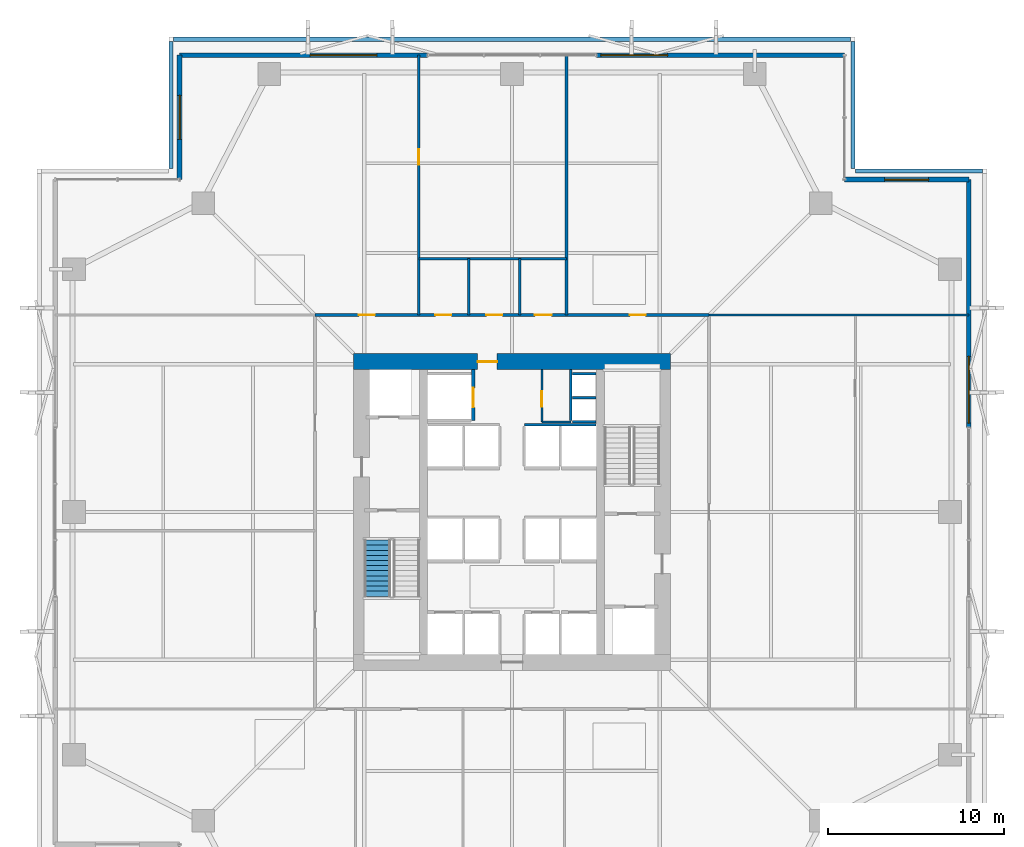
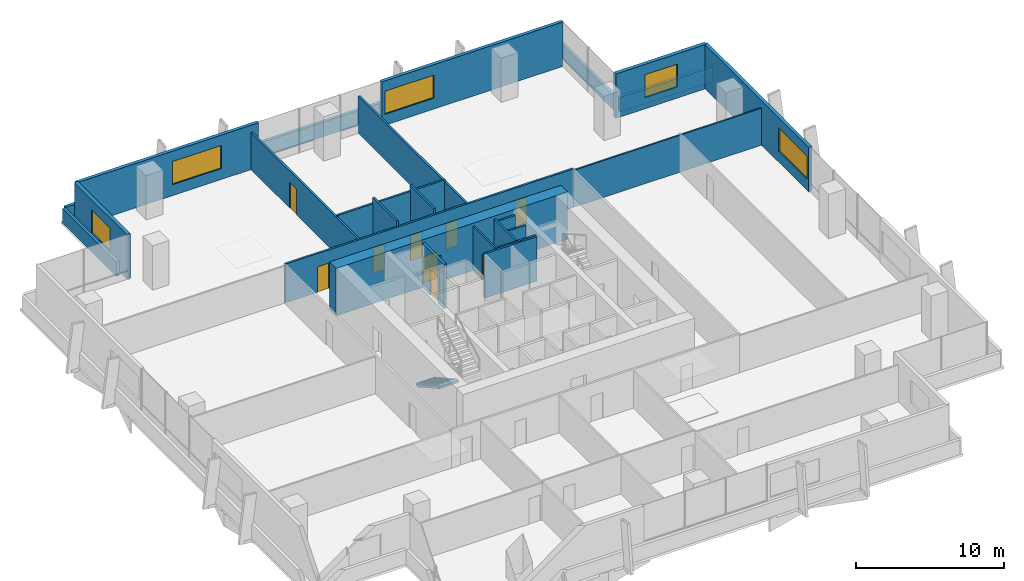
# One storey, part 32 of 34: 25 walls, 9 doors, 5 windows, 1 stair flight, 14 openings, 1 element without a shape of its own.
"""IFC4 building model written with IfcOpenShell, lengths in metres."""

from ifc_helpers import new_model, si_unit, direction, frame, frame_2d, origin, place, context, subcontext, project, spatial, polyline, rectangle, outline, extrude, material, layer, layer_set, type_object, element, fill, aggregate, save


model = new_model("IFC4")

# Units and contexts
model_context = context("Model", 3, precision=1e-05, world=origin(), true_north=direction((0.0, 1.0)))
body_context = subcontext(model_context, "Body", "Model", "MODEL_VIEW")
ifc_project = project(units=[si_unit("LENGTHUNIT", "METRE"), si_unit("AREAUNIT", "SQUARE_METRE"), si_unit("VOLUMEUNIT", "CUBIC_METRE"), si_unit("PLANEANGLEUNIT", "RADIAN"), si_unit("MASSUNIT", "GRAM", prefix="KILO")], contexts=[model_context])

# Site, building, storey
site_placement = place(None, origin())
site = spatial("IfcSite", under=ifc_project, at=site_placement, CompositionType="ELEMENT")
building_placement = place(site_placement, origin())
building = spatial("IfcBuilding", under=site, at=building_placement, Name="Belovzor Exchange Tower", CompositionType="ELEMENT")
storey_placement = place(building_placement, frame((0.0, 0.0, 113.39990234375)))
storey = spatial("IfcBuildingStorey", under=building, at=storey_placement, Name="L27", CompositionType="ELEMENT", Elevation=113.39990234375)

# Wall
ifc_material_1 = material(Name="Acoustic Plasterboard on Galvanised Studs", Category="gypsum")
ifc_layer_1 = layer(ifc_material_1, 0.1201171875)
ifc_layer_set_1 = layer_set([ifc_layer_1], Name="Acoustic Plasterboard on Galvanised Studs")
wall_type_1 = type_object("IfcWallType", Name="Acoustic Double-Stud Partition Wall 120", PredefinedType="PARTITIONING", material=ifc_layer_set_1)
wall_1_placement = place(storey_placement, frame((40.0, 40.0, 0.0), z_axis=(0.0, 0.0, 1.0), x_axis=(1.0, 0.0, 0.0)))
element("IfcWall", 1, at=wall_1_placement, inside=storey, type_object=wall_type_1, Name="W-P120 Partition Wall W-L27-END-NE", PredefinedType="PARTITIONING", context=body_context, shape_type="SweptSolid", body=[
    extrude(rectangle(XDim=14.77001953125, YDim=0.1201171875, at=frame_2d((7.385009765625, 0.0))), origin(), (0.0, 0.0, 1.0), 3.03515625),
])

# Wall, opening, door
ifc_material_2 = material(Name="Fire-Rated Plasterboard on Galvanised Studs", Category="gypsum")
ifc_layer_2 = layer(ifc_material_2, 0.1201171875)
ifc_layer_set_2 = layer_set([ifc_layer_2], Name="Fire-Rated Plasterboard on Galvanised Studs")
wall_type_2 = type_object("IfcWallType", Name="Fire-Rated Double-Stud Partition Wall 120", PredefinedType="PARTITIONING", material=ifc_layer_set_2)
wall_2_placement = place(storey_placement, frame((30.5, 33.925048828125, 0.0), z_axis=(0.0, 0.0, 1.0), x_axis=(0.0, 1.0, 0.0)))
wall_2 = element("IfcWall", 2, at=wall_2_placement, inside=storey, type_object=wall_type_2, Name="W-P120F Partition Wall W-CRV-L27-W", PredefinedType="PARTITIONING", context=body_context, shape_type="SweptSolid", body=[
    extrude(rectangle(XDim=2.974853515625, YDim=0.1201171875, at=frame_2d((1.4873046875, 0.0))), origin(), (0.0, 0.0, 1.0), 3.650146484375),
])
opening_1_placement = place(wall_2_placement, frame((0.85009765625, 0.0, 0.0)))
opening_1 = element("IfcOpeningElement", 3, at=opening_1_placement, cuts=wall_2, Name="Opening D-FD60-090", PredefinedType="OPENING", context=body_context, shape_type="SweptSolid", body=[
    extrude(rectangle(XDim=0.89990234375, YDim=2.10009765625, at=frame_2d((0.449951171875, 1.050048828125))), frame((0.0, 0.070068359375, 0.0), z_axis=(0.0, -1.0, 0.0), x_axis=(1.0, 0.0, 0.0)), (0.0, 0.0, 1.0), 0.14013671875),
])
ifc_material_3 = material(Name="Acoustic Timber Fire Leaf", Category="wood")
door_type_1 = type_object("IfcDoorType", Name="Core Service & Restroom Fire Door 900x2100", OperationType="NOTDEFINED", PredefinedType="DOOR", material=ifc_material_3)
door_1_placement = place(opening_1_placement, origin())
door_1 = element("IfcDoor", 4, at=door_1_placement, inside=storey, type_object=door_type_1, Name="D-FD60-090 Core Service & Restroom Fire Door 900x2100", OperationType="SINGLE_SWING_LEFT", OverallHeight=2.10009765625, OverallWidth=0.89990234375, PredefinedType="DOOR", context=body_context, shape_type="SweptSolid", body=[
    extrude(rectangle(XDim=0.89990234375, YDim=2.10009765625, at=frame_2d((0.449951171875, 1.050048828125))), frame((0.0, 0.02490234375, 0.0), z_axis=(0.0, -1.0, 0.0), x_axis=(1.0, 0.0, 0.0)), (0.0, 0.0, 1.0), 0.050048828125),
])
fill(opening_1, door_1)

# Walls
wall_3_placement = place(storey_placement, frame((30.5, 33.925048828125, 0.0), z_axis=(0.0, 0.0, 1.0), x_axis=(1.0, 0.0, 0.0)))
element("IfcWall", 5, at=wall_3_placement, inside=storey, type_object=wall_type_2, Name="W-P120F Partition Wall W-CRV-L27-S", PredefinedType="PARTITIONING", context=body_context, shape_type="SweptSolid", body=[
    extrude(rectangle(XDim=1.64990234375, YDim=0.1201171875, at=frame_2d((0.824951171875, 0.0))), origin(), (0.0, 0.0, 1.0), 3.650146484375),
])
ifc_material_4 = material(Name="Fire-Rated Gypsum Block and Mineral Wool", Category="gypsum")
ifc_layer_3 = layer(ifc_material_4, 0.14990234375)
ifc_layer_set_3 = layer_set([ifc_layer_3], Name="Fire-Rated Gypsum Block and Mineral Wool")
wall_type_3 = type_object("IfcWallType", Name="Fire-Rated Gypsum Block Corridor Wall 150", PredefinedType="PARTITIONING", material=ifc_layer_set_3)
wall_4_placement = place(storey_placement, frame((23.5, 43.199951171875, 0.0), z_axis=(0.0, 0.0, 1.0), x_axis=(1.0, 0.0, 0.0)))
element("IfcWall", 6, at=wall_4_placement, inside=storey, type_object=wall_type_3, Name="W-P150 Partition Wall W-L27-WCN", PredefinedType="PARTITIONING", context=body_context, shape_type="SweptSolid", body=[
    extrude(rectangle(XDim=8.39990234375, YDim=0.14990234375, at=frame_2d((4.199951171875, 0.0))), origin(), (0.0, 0.0, 1.0), 3.18505859375),
])

# Wall, opening, door
wall_5_placement = place(storey_placement, frame((23.5, 40.0, 0.0), z_axis=(0.0, 0.0, 1.0), x_axis=(0.0, 1.0, 0.0)))
wall_5 = element("IfcWall", 7, at=wall_5_placement, inside=storey, type_object=wall_type_3, Name="W-P150 Partition Wall W-L27-WCW", PredefinedType="PARTITIONING", context=body_context, shape_type="SweptSolid", body=[
    extrude(rectangle(XDim=14.77001953125, YDim=0.14990234375, at=frame_2d((7.385009765625, 0.0))), origin(), (0.0, 0.0, 1.0), 3.03515625),
])
opening_2_placement = place(wall_5_placement, frame((8.534912109375, 0.0, 0.0)))
opening_2 = element("IfcOpeningElement", 8, at=opening_2_placement, cuts=wall_5, Name="Opening D-INT-090", PredefinedType="OPENING", context=body_context, shape_type="SweptSolid", body=[
    extrude(rectangle(XDim=0.89990234375, YDim=2.10009765625, at=frame_2d((0.449951171875, 1.050048828125))), frame((0.0, 0.0849609375, 0.0), z_axis=(0.0, -1.0, 0.0), x_axis=(1.0, 0.0, 0.0)), (0.0, 0.0, 1.0), 0.169921875),
])
ifc_material_5 = material(Name="Veneered Hardwood Acoustic Leaf", Category="wood")
door_type_2 = type_object("IfcDoorType", Name="Trading Suite Acoustic Single Door 900x2100", OperationType="NOTDEFINED", PredefinedType="DOOR", material=ifc_material_5)
door_2_placement = place(opening_2_placement, origin())
door_2 = element("IfcDoor", 9, at=door_2_placement, inside=storey, type_object=door_type_2, Name="D-INT-090 Trading Suite Acoustic Single Door 900x2100", OperationType="SINGLE_SWING_LEFT", OverallHeight=2.10009765625, OverallWidth=0.89990234375, PredefinedType="DOOR", context=body_context, shape_type="SweptSolid", body=[
    extrude(rectangle(XDim=0.89990234375, YDim=2.10009765625, at=frame_2d((0.449951171875, 1.050048828125))), frame((0.0, 0.02490234375, 0.0), z_axis=(0.0, -1.0, 0.0), x_axis=(1.0, 0.0, 0.0)), (0.0, 0.0, 1.0), 0.050048828125),
])
fill(opening_2, door_2)

# Walls
wall_6_placement = place(storey_placement, frame((31.89990234375, 40.0, 0.0), z_axis=(0.0, 0.0, 1.0), x_axis=(0.0, 1.0, 0.0)))
element("IfcWall", 10, at=wall_6_placement, inside=storey, type_object=wall_type_3, Name="W-P150 Partition Wall W-L27-WCE", PredefinedType="PARTITIONING", context=body_context, shape_type="SweptSolid", body=[
    extrude(rectangle(XDim=14.77001953125, YDim=0.14990234375, at=frame_2d((7.385009765625, 0.0))), origin(), (0.0, 0.0, 1.0), 3.03515625),
])
for number, where, z_axis, x_axis, name in (
    (11, (26.35009765625, 40.0, 0.0), (0.0, 0.0, 1.0), (0.0, 1.0, 0.0), "W-P150 Partition Wall W-L27-WCD1"),
    (12, (29.25, 40.0, 0.0), (0.0, 0.0, 1.0), (0.0, 1.0, 0.0), "W-P150 Partition Wall W-L27-WCD2"),
):
    element("IfcWall", number, at=place(storey_placement, frame(where, z_axis=z_axis, x_axis=x_axis)), inside=storey, type_object=wall_type_3, Name=name, PredefinedType="PARTITIONING", context=body_context, shape_type="SweptSolid", body=[
        extrude(rectangle(XDim=3.199951171875, YDim=0.14990234375, at=frame_2d((1.60009765625, 0.0))), origin(), (0.0, 0.0, 1.0), 3.650146484375),
    ])

# Wall, openings, doors
wall_7_placement = place(storey_placement, frame((17.60009765625, 40.0, 0.0), z_axis=(0.0, 0.0, 1.0), x_axis=(1.0, 0.0, 0.0)))
wall_7 = element("IfcWall", 13, at=wall_7_placement, inside=storey, type_object=wall_type_3, Name="W-P150 Partition Wall W-L27-CN", PredefinedType="PARTITIONING", context=body_context, shape_type="SweptSolid", body=[
    extrude(rectangle(XDim=22.39990234375, YDim=0.14990234375, at=frame_2d((11.199951171875, 0.0))), origin(), (0.0, 0.0, 1.0), 3.18505859375),
])
opening_3_placement = place(wall_7_placement, frame((2.5, 0.0, 0.0)))
opening_3 = element("IfcOpeningElement", 14, at=opening_3_placement, cuts=wall_7, Name="Opening D-INT-090", PredefinedType="OPENING", context=body_context, shape_type="SweptSolid", body=[
    extrude(rectangle(XDim=0.89990234375, YDim=2.10009765625, at=frame_2d((0.449951171875, 1.050048828125))), frame((0.0, 0.0849609375, 0.0), z_axis=(0.0, -1.0, 0.0), x_axis=(1.0, 0.0, 0.0)), (0.0, 0.0, 1.0), 0.169921875),
])
opening_4_placement = place(wall_7_placement, frame((6.85009765625, 0.0, 0.0)))
opening_4 = element("IfcOpeningElement", 15, at=opening_4_placement, cuts=wall_7, Name="Opening D-FD60-090", PredefinedType="OPENING", context=body_context, shape_type="SweptSolid", body=[
    extrude(rectangle(XDim=0.89990234375, YDim=2.10009765625, at=frame_2d((0.449951171875, 1.050048828125))), frame((0.0, 0.0849609375, 0.0), z_axis=(0.0, -1.0, 0.0), x_axis=(1.0, 0.0, 0.0)), (0.0, 0.0, 1.0), 0.169921875),
])
opening_5_placement = place(wall_7_placement, frame((9.75, 0.0, 0.0)))
opening_5 = element("IfcOpeningElement", 16, at=opening_5_placement, cuts=wall_7, Name="Opening D-FD60-090", PredefinedType="OPENING", context=body_context, shape_type="SweptSolid", body=[
    extrude(rectangle(XDim=0.89990234375, YDim=2.10009765625, at=frame_2d((0.449951171875, 1.050048828125))), frame((0.0, 0.0849609375, 0.0), z_axis=(0.0, -1.0, 0.0), x_axis=(1.0, 0.0, 0.0)), (0.0, 0.0, 1.0), 0.169921875),
])
opening_6_placement = place(wall_7_placement, frame((12.5, 0.0, 0.0)))
opening_6 = element("IfcOpeningElement", 17, at=opening_6_placement, cuts=wall_7, Name="Opening D-FD60-095", PredefinedType="OPENING", context=body_context, shape_type="SweptSolid", body=[
    extrude(rectangle(XDim=0.949951171875, YDim=2.10009765625, at=frame_2d((0.47509765625, 1.050048828125))), frame((0.0, 0.0849609375, 0.0), z_axis=(0.0, -1.0, 0.0), x_axis=(1.0, 0.0, 0.0)), (0.0, 0.0, 1.0), 0.169921875),
])
opening_7_placement = place(wall_7_placement, frame((17.89990234375, 0.0, 0.0)))
opening_7 = element("IfcOpeningElement", 18, at=opening_7_placement, cuts=wall_7, Name="Opening D-INT-090", PredefinedType="OPENING", context=body_context, shape_type="SweptSolid", body=[
    extrude(rectangle(XDim=0.89990234375, YDim=2.10009765625, at=frame_2d((0.449951171875, 1.050048828125))), frame((0.0, 0.0849609375, 0.0), z_axis=(0.0, -1.0, 0.0), x_axis=(1.0, 0.0, 0.0)), (0.0, 0.0, 1.0), 0.169921875),
])
ifc_material_6 = material(Name="Moisture-Resistant Timber Fire Leaf", Category="wood")
door_type_3 = type_object("IfcDoorType", Name="Accessible Restroom Wide Fire Door 950x2100", OperationType="NOTDEFINED", PredefinedType="DOOR", material=ifc_material_6)
door_3_placement = place(opening_6_placement, origin())
door_3 = element("IfcDoor", 19, at=door_3_placement, inside=storey, type_object=door_type_3, Name="D-FD60-095 Accessible Restroom Wide Fire Door 950x2100", OperationType="SINGLE_SWING_LEFT", OverallHeight=2.10009765625, OverallWidth=0.949951171875, PredefinedType="DOOR", context=body_context, shape_type="SweptSolid", body=[
    extrude(rectangle(XDim=0.949951171875, YDim=2.10009765625, at=frame_2d((0.47509765625, 1.050048828125))), frame((0.0, 0.02490234375, 0.0), z_axis=(0.0, -1.0, 0.0), x_axis=(1.0, 0.0, 0.0)), (0.0, 0.0, 1.0), 0.050048828125),
])
fill(opening_6, door_3)
door_4_placement = place(opening_4_placement, origin())
door_4 = element("IfcDoor", 20, at=door_4_placement, inside=storey, type_object=door_type_1, Name="D-FD60-090 Core Service & Restroom Fire Door 900x2100", OperationType="SINGLE_SWING_LEFT", OverallHeight=2.10009765625, OverallWidth=0.89990234375, PredefinedType="DOOR", context=body_context, shape_type="SweptSolid", body=[
    extrude(rectangle(XDim=0.89990234375, YDim=2.10009765625, at=frame_2d((0.449951171875, 1.050048828125))), frame((0.0, 0.02490234375, 0.0), z_axis=(0.0, -1.0, 0.0), x_axis=(1.0, 0.0, 0.0)), (0.0, 0.0, 1.0), 0.050048828125),
])
fill(opening_4, door_4)
door_5_placement = place(opening_5_placement, origin())
door_5 = element("IfcDoor", 21, at=door_5_placement, inside=storey, type_object=door_type_1, Name="D-FD60-090 Core Service & Restroom Fire Door 900x2100", OperationType="SINGLE_SWING_RIGHT", OverallHeight=2.10009765625, OverallWidth=0.89990234375, PredefinedType="DOOR", context=body_context, shape_type="SweptSolid", body=[
    extrude(rectangle(XDim=0.89990234375, YDim=2.10009765625, at=frame_2d((0.449951171875, 1.050048828125))), frame((0.0, 0.02490234375, 0.0), z_axis=(0.0, -1.0, 0.0), x_axis=(1.0, 0.0, 0.0)), (0.0, 0.0, 1.0), 0.050048828125),
])
fill(opening_5, door_5)
door_6_placement = place(opening_3_placement, origin())
door_6 = element("IfcDoor", 22, at=door_6_placement, inside=storey, type_object=door_type_2, Name="D-INT-090 Trading Suite Acoustic Single Door 900x2100", OperationType="SINGLE_SWING_LEFT", OverallHeight=2.10009765625, OverallWidth=0.89990234375, PredefinedType="DOOR", context=body_context, shape_type="SweptSolid", body=[
    extrude(rectangle(XDim=0.89990234375, YDim=2.10009765625, at=frame_2d((0.449951171875, 1.050048828125))), frame((0.0, 0.02490234375, 0.0), z_axis=(0.0, -1.0, 0.0), x_axis=(1.0, 0.0, 0.0)), (0.0, 0.0, 1.0), 0.050048828125),
])
fill(opening_3, door_6)
door_7_placement = place(opening_7_placement, origin())
door_7 = element("IfcDoor", 23, at=door_7_placement, inside=storey, type_object=door_type_2, Name="D-INT-090 Trading Suite Acoustic Single Door 900x2100", OperationType="SINGLE_SWING_RIGHT", OverallHeight=2.10009765625, OverallWidth=0.89990234375, PredefinedType="DOOR", context=body_context, shape_type="SweptSolid", body=[
    extrude(rectangle(XDim=0.89990234375, YDim=2.10009765625, at=frame_2d((0.449951171875, 1.050048828125))), frame((0.0, 0.02490234375, 0.0), z_axis=(0.0, -1.0, 0.0), x_axis=(1.0, 0.0, 0.0)), (0.0, 0.0, 1.0), 0.050048828125),
])
fill(opening_7, door_7)

# Wall, opening, window
ifc_material_7 = material(Name="Precast concrete C40/50", Category="concrete")
ifc_layer_4 = layer(ifc_material_7, 0.280029296875)
ifc_layer_set_4 = layer_set([ifc_layer_4], Name="Precast concrete C40/50")
wall_type_4 = type_object("IfcWallType", Name="Precast Concrete Notched Corner Frame Wall 280", PredefinedType="SOLIDWALL", material=ifc_layer_set_4)
wall_8_placement = place(storey_placement, frame((9.89990234375, 47.699951171875, 0.0), z_axis=(0.0, 0.0, 1.0), x_axis=(0.0, 1.0, 0.0)))
wall_8 = element("IfcWall", 24, at=wall_8_placement, inside=storey, type_object=wall_type_4, Name="W-CRN280 Precast Concrete Notched Corner Frame Wall 280 L27", PredefinedType="SOLIDWALL", context=body_context, shape_type="SweptSolid", body=[
    extrude(rectangle(XDim=7.070068359375, YDim=0.280029296875, at=frame_2d((3.53515625, 0.0))), origin(), (0.0, 0.0, 1.0), 3.650146484375),
])
opening_8_placement = place(wall_8_placement, frame((2.284912109375, 0.0, 0.89990234375)))
opening_8 = element("IfcOpeningElement", 25, at=opening_8_placement, cuts=wall_8, Name="Opening WN-CRN250", PredefinedType="OPENING", context=body_context, shape_type="SweptSolid", body=[
    extrude(rectangle(XDim=2.5, YDim=1.89990234375, at=frame_2d((1.25, 0.949951171875))), frame((0.0, 0.14990234375, 0.0), z_axis=(0.0, -1.0, 0.0), x_axis=(1.0, 0.0, 0.0)), (0.0, 0.0, 1.0), 0.300048828125),
])
ifc_material_8 = material(Name="Thermally Broken Aluminium and Triple Glazing", Category="aluminium")
window_type_1 = type_object("IfcWindowType", Name="Streamline Moderne Corner Wrap Ribbon Window 2500x1900", PartitioningType="SINGLE_PANEL", PredefinedType="WINDOW", material=ifc_material_8)
window_1_placement = place(opening_8_placement, origin())
window_1 = element("IfcWindow", 26, at=window_1_placement, inside=storey, type_object=window_type_1, Name="WN-CRN250 Streamline Moderne Corner Wrap Ribbon Window 2500x1900", OverallHeight=1.89990234375, OverallWidth=2.5, PartitioningType="SINGLE_PANEL", PredefinedType="WINDOW", context=body_context, shape_type="SweptSolid", body=[
    extrude(rectangle(XDim=2.5, YDim=1.89990234375, at=frame_2d((1.25, 0.949951171875))), frame((0.0, 0.030029296875, 0.0), z_axis=(0.0, -1.0, 0.0), x_axis=(1.0, 0.0, 0.0)), (0.0, 0.0, 1.0), 0.06005859375),
])
fill(opening_8, window_1)

wall_9_placement = place(storey_placement, frame((47.699951171875, 47.699951171875, 0.0), z_axis=(0.0, 0.0, 1.0), x_axis=(1.0, 0.0, 0.0)))
wall_9 = element("IfcWall", 27, at=wall_9_placement, inside=storey, type_object=wall_type_4, Name="W-CRN280 Precast Concrete Notched Corner Frame Wall 280 L27", PredefinedType="SOLIDWALL", context=body_context, shape_type="SweptSolid", body=[
    extrude(rectangle(XDim=7.070068359375, YDim=0.280029296875, at=frame_2d((3.53515625, 0.0))), origin(), (0.0, 0.0, 1.0), 3.650146484375),
])
opening_9_placement = place(wall_9_placement, frame((2.284912109375, 0.0, 0.89990234375)))
opening_9 = element("IfcOpeningElement", 28, at=opening_9_placement, cuts=wall_9, Name="Opening WN-CRN250", PredefinedType="OPENING", context=body_context, shape_type="SweptSolid", body=[
    extrude(rectangle(XDim=2.5, YDim=1.89990234375, at=frame_2d((1.25, 0.949951171875))), frame((0.0, 0.14990234375, 0.0), z_axis=(0.0, -1.0, 0.0), x_axis=(1.0, 0.0, 0.0)), (0.0, 0.0, 1.0), 0.300048828125),
])
window_2_placement = place(opening_9_placement, origin())
window_2 = element("IfcWindow", 29, at=window_2_placement, inside=storey, type_object=window_type_1, Name="WN-CRN250 Streamline Moderne Corner Wrap Ribbon Window 2500x1900", OverallHeight=1.89990234375, OverallWidth=2.5, PartitioningType="SINGLE_PANEL", PredefinedType="WINDOW", context=body_context, shape_type="SweptSolid", body=[
    extrude(rectangle(XDim=2.5, YDim=1.89990234375, at=frame_2d((1.25, 0.949951171875))), frame((0.0, 0.030029296875, 0.0), z_axis=(0.0, -1.0, 0.0), x_axis=(1.0, 0.0, 0.0)), (0.0, 0.0, 1.0), 0.06005859375),
])
fill(opening_9, window_2)

ifc_material_9 = material(Name="Precast concrete C40/50", Category="concrete")
ifc_layer_5 = layer(ifc_material_9, 0.260009765625)
ifc_layer_set_5 = layer_set([ifc_layer_5], Name="Precast concrete C40/50")
wall_type_5 = type_object("IfcWallType", Name="Precast Concrete Perimeter Loggia Frame Wall 260", PredefinedType="SOLIDWALL", material=ifc_layer_set_5)
wall_10_placement = place(storey_placement, frame((9.89990234375, 54.77001953125, 0.0), z_axis=(0.0, 0.0, 1.0), x_axis=(1.0, 0.0, 0.0)))
wall_10 = element("IfcWall", 30, at=wall_10_placement, inside=storey, type_object=wall_type_5, Name="W-EXT260 Precast Concrete Perimeter Loggia Frame Wall 260 L27", PredefinedType="SOLIDWALL", context=body_context, shape_type="SweptSolid", body=[
    extrude(rectangle(XDim=14.10009765625, YDim=0.260009765625, at=frame_2d((7.050048828125, 0.0))), origin(), (0.0, 0.0, 1.0), 3.650146484375),
])
opening_10_placement = place(wall_10_placement, frame((7.4208984375, 0.0, 0.89990234375)))
opening_10 = element("IfcOpeningElement", 31, at=opening_10_placement, cuts=wall_10, Name="Opening WN-RIB380", PredefinedType="OPENING", context=body_context, shape_type="SweptSolid", body=[
    extrude(rectangle(XDim=3.800048828125, YDim=1.89990234375, at=frame_2d((1.89990234375, 0.949951171875))), frame((0.0, 0.139892578125, 0.0), z_axis=(0.0, -1.0, 0.0), x_axis=(1.0, 0.0, 0.0)), (0.0, 0.0, 1.0), 0.280029296875),
])
ifc_material_10 = material(Name="Thermally Broken Aluminium and Triple Glazing", Category="aluminium")
window_type_2 = type_object("IfcWindowType", Name="Streamline Moderne Horizontal Ribbon Window 3800x1900", PartitioningType="SINGLE_PANEL", PredefinedType="WINDOW", material=ifc_material_10)
window_3_placement = place(opening_10_placement, origin())
window_3 = element("IfcWindow", 32, at=window_3_placement, inside=storey, type_object=window_type_2, Name="WN-RIB380 Streamline Moderne Horizontal Ribbon Window 3800x1900", OverallHeight=1.89990234375, OverallWidth=3.800048828125, PartitioningType="SINGLE_PANEL", PredefinedType="WINDOW", context=body_context, shape_type="SweptSolid", body=[
    extrude(rectangle(XDim=3.800048828125, YDim=1.89990234375, at=frame_2d((1.89990234375, 0.949951171875))), frame((0.0, 0.030029296875, 0.0), z_axis=(0.0, -1.0, 0.0), x_axis=(1.0, 0.0, 0.0)), (0.0, 0.0, 1.0), 0.06005859375),
])
fill(opening_10, window_3)

wall_11_placement = place(storey_placement, frame((33.60009765625, 54.77001953125, 0.0), z_axis=(0.0, 0.0, 1.0), x_axis=(1.0, 0.0, 0.0)))
wall_11 = element("IfcWall", 33, at=wall_11_placement, inside=storey, type_object=wall_type_5, Name="W-EXT260 Precast Concrete Perimeter Loggia Frame Wall 260 L27", PredefinedType="SOLIDWALL", context=body_context, shape_type="SweptSolid", body=[
    extrude(rectangle(XDim=14.099853515625, YDim=0.260009765625, at=frame_2d((7.0498046875, 0.0))), origin(), (0.0, 0.0, 1.0), 3.650146484375),
])
opening_11_placement = place(wall_11_placement, frame((0.25, 0.0, 0.89990234375)))
opening_11 = element("IfcOpeningElement", 34, at=opening_11_placement, cuts=wall_11, Name="Opening WN-RIB380", PredefinedType="OPENING", context=body_context, shape_type="SweptSolid", body=[
    extrude(rectangle(XDim=3.800048828125, YDim=1.89990234375, at=frame_2d((1.89990234375, 0.949951171875))), frame((0.0, 0.139892578125, 0.0), z_axis=(0.0, -1.0, 0.0), x_axis=(1.0, 0.0, 0.0)), (0.0, 0.0, 1.0), 0.280029296875),
])
window_4_placement = place(opening_11_placement, origin())
window_4 = element("IfcWindow", 35, at=window_4_placement, inside=storey, type_object=window_type_2, Name="WN-RIB380 Streamline Moderne Horizontal Ribbon Window 3800x1900", OverallHeight=1.89990234375, OverallWidth=3.800048828125, PartitioningType="SINGLE_PANEL", PredefinedType="WINDOW", context=body_context, shape_type="SweptSolid", body=[
    extrude(rectangle(XDim=3.800048828125, YDim=1.89990234375, at=frame_2d((1.89990234375, 0.949951171875))), frame((0.0, 0.030029296875, 0.0), z_axis=(0.0, -1.0, 0.0), x_axis=(1.0, 0.0, 0.0)), (0.0, 0.0, 1.0), 0.06005859375),
])
fill(opening_11, window_4)

wall_12_placement = place(storey_placement, frame((54.77001953125, 47.699951171875, 0.0), z_axis=(0.0, 0.0, 1.0), x_axis=(0.0, -1.0, 0.0)))
wall_12 = element("IfcWall", 36, at=wall_12_placement, inside=storey, type_object=wall_type_5, Name="W-EXT260 Precast Concrete Perimeter Loggia Frame Wall 260 L27", PredefinedType="SOLIDWALL", context=body_context, shape_type="SweptSolid", body=[
    extrude(rectangle(XDim=14.099853515625, YDim=0.260009765625, at=frame_2d((7.0498046875, 0.0))), origin(), (0.0, 0.0, 1.0), 3.650146484375),
])
opening_12_placement = place(wall_12_placement, frame((10.050048828125, 0.0, 0.89990234375)))
opening_12 = element("IfcOpeningElement", 37, at=opening_12_placement, cuts=wall_12, Name="Opening WN-RIB380", PredefinedType="OPENING", context=body_context, shape_type="SweptSolid", body=[
    extrude(rectangle(XDim=3.800048828125, YDim=1.89990234375, at=frame_2d((1.89990234375, 0.949951171875))), frame((0.0, 0.139892578125, 0.0), z_axis=(0.0, -1.0, 0.0), x_axis=(1.0, 0.0, 0.0)), (0.0, 0.0, 1.0), 0.280029296875),
])
window_5_placement = place(opening_12_placement, origin())
window_5 = element("IfcWindow", 38, at=window_5_placement, inside=storey, type_object=window_type_2, Name="WN-RIB380 Streamline Moderne Horizontal Ribbon Window 3800x1900", OverallHeight=1.89990234375, OverallWidth=3.800048828125, PartitioningType="SINGLE_PANEL", PredefinedType="WINDOW", context=body_context, shape_type="SweptSolid", body=[
    extrude(rectangle(XDim=3.800048828125, YDim=1.89990234375, at=frame_2d((1.89990234375, 0.949951171875))), frame((0.0, 0.030029296875, 0.0), z_axis=(0.0, -1.0, 0.0), x_axis=(1.0, 0.0, 0.0)), (0.0, 0.0, 1.0), 0.06005859375),
])
fill(opening_12, window_5)

# Walls
ifc_material_11 = material(Name="Precast concrete C40/50", Category="concrete")
ifc_layer_6 = layer(ifc_material_11, 0.239990234375)
ifc_layer_set_6 = layer_set([ifc_layer_6], Name="Precast concrete C40/50")
wall_type_6 = type_object("IfcWallType", Name="Precast Stone Setback Roof Parapet Wall 240", PredefinedType="PARAPET", material=ifc_layer_set_6)
for number, where, z_axis, x_axis, name in (
    (39, (55.544921875, 48.179931640625, 0.0), (0.0, 0.0, 1.0), (-1.0, 0.0, 0.0), "W-PAR240 Precast Stone Setback Roof Parapet Wall 240 L27"),
    (40, (48.179931640625, 48.31494140625, 0.0), (0.0, 0.0, 1.0), (0.0, 1.0, 0.0), "W-PAR240 Precast Stone Setback Roof Parapet Wall 240 L27"),
):
    element("IfcWall", number, at=place(storey_placement, frame(where, z_axis=z_axis, x_axis=x_axis)), inside=storey, type_object=wall_type_6, Name=name, PredefinedType="PARAPET", context=body_context, shape_type="SweptSolid", body=[
        extrude(rectangle(XDim=7.22998046875, YDim=0.239990234375, at=frame_2d((3.614990234375, 0.0))), origin(), (0.0, 0.0, 1.0), 1.2001953125),
    ])
wall_13_placement = place(storey_placement, frame((48.044921875, 55.679931640625, 0.0), z_axis=(0.0, 0.0, 1.0), x_axis=(-1.0, 0.0, 0.0)))
element("IfcWall", 41, at=wall_13_placement, inside=storey, type_object=wall_type_6, Name="W-PAR240 Precast Stone Setback Roof Parapet Wall 240 L27", PredefinedType="PARAPET", context=body_context, shape_type="SweptSolid", body=[
    extrude(rectangle(XDim=38.489990234375, YDim=0.239990234375, at=frame_2d((19.2451171875, 0.0))), origin(), (0.0, 0.0, 1.0), 1.2001953125),
])
wall_14_placement = place(storey_placement, frame((9.419921875, 55.544921875, 0.0), z_axis=(0.0, 0.0, 1.0), x_axis=(0.0, -1.0, 0.0)))
element("IfcWall", 42, at=wall_14_placement, inside=storey, type_object=wall_type_6, Name="W-PAR240 Precast Stone Setback Roof Parapet Wall 240 L27", PredefinedType="PARAPET", context=body_context, shape_type="SweptSolid", body=[
    extrude(rectangle(XDim=7.22998046875, YDim=0.239990234375, at=frame_2d((3.614990234375, 0.0))), origin(), (0.0, 0.0, 1.0), 1.2001953125),
])
ifc_material_12 = material(Name="Concrete C50/60", Category="concrete")
ifc_layer_7 = layer(ifc_material_12, 0.14990234375)
ifc_layer_set_7 = layer_set([ifc_layer_7], Name="Concrete C50/60")
wall_type_7 = type_object("IfcWallType", Name="Reinforced Concrete Core Riser Shear Wall 150", PredefinedType="SHEAR", material=ifc_layer_set_7)
wall_15_placement = place(storey_placement, frame((32.14990234375, 34.0, 0.0), z_axis=(0.0, 0.0, 1.0), x_axis=(0.0, 1.0, 0.0)))
element("IfcWall", 43, at=wall_15_placement, inside=storey, type_object=wall_type_7, Name="W-C150S Core Shaft Wall W-RSR-L27-E", PredefinedType="SHEAR", context=body_context, shape_type="SweptSolid", body=[
    extrude(rectangle(XDim=2.89990234375, YDim=0.14990234375, at=frame_2d((1.449951171875, 0.0))), origin(), (0.0, 0.0, 1.0), 3.650146484375),
])
for number, where, z_axis, x_axis, name in (
    (44, (32.25, 33.925048828125, 0.0), (0.0, 0.0, 1.0), (1.0, 0.0, 0.0), "W-C150S Core Shaft Wall W-RSR-L27-S"),
    (45, (32.25, 35.300048828125, 0.0), (0.0, 0.0, 1.0), (1.0, 0.0, 0.0), "W-C150S Core Shaft Wall W-RSR-L27-M"),
    (46, (32.25, 36.64990234375, 0.0), (0.0, 0.0, 1.0), (1.0, 0.0, 0.0), "W-C150S Core Shaft Wall W-RSR-L27-N"),
):
    element("IfcWall", number, at=place(storey_placement, frame(where, z_axis=z_axis, x_axis=x_axis)), inside=storey, type_object=wall_type_7, Name=name, PredefinedType="SHEAR", context=body_context, shape_type="SweptSolid", body=[
        extrude(rectangle(XDim=1.330078125, YDim=0.14990234375, at=frame_2d((0.6650390625, 0.0))), origin(), (0.0, 0.0, 1.0), 3.650146484375),
    ])
wall_16_placement = place(storey_placement, frame((29.5, 33.760009765625, 0.0), z_axis=(0.0, 0.0, 1.0), x_axis=(1.0, 0.0, 0.0)))
element("IfcWall", 47, at=wall_16_placement, inside=storey, type_object=wall_type_7, Name="W-C150S Core Shaft Wall W-SHB-L27-PLH-NE", PredefinedType="SHEAR", context=body_context, shape_type="SweptSolid", body=[
    extrude(rectangle(XDim=4.080078125, YDim=0.14990234375, at=frame_2d((2.0400390625, 0.0))), origin(), (0.0, 0.0, 1.0), 3.650146484375),
])

# Wall, opening, door
ifc_material_13 = material(Name="Concrete C50/60", Category="concrete")
ifc_layer_8 = layer(ifc_material_13, 0.199951171875)
ifc_layer_set_8 = layer_set([ifc_layer_8], Name="Concrete C50/60")
wall_type_8 = type_object("IfcWallType", Name="Reinforced Concrete Core Shaft Shear Wall 200", PredefinedType="SHEAR", material=ifc_layer_set_8)
wall_17_placement = place(storey_placement, frame((26.60009765625, 34.0, 0.0), z_axis=(0.0, 0.0, 1.0), x_axis=(0.0, 1.0, 0.0)))
wall_17 = element("IfcWall", 48, at=wall_17_placement, inside=storey, type_object=wall_type_8, Name="W-C200S Core Shaft Wall W-SH-L27-SL-01", PredefinedType="SHEAR", context=body_context, shape_type="SweptSolid", body=[
    extrude(rectangle(XDim=2.89990234375, YDim=0.199951171875, at=frame_2d((1.449951171875, 0.0))), origin(), (0.0, 0.0, 1.0), 3.650146484375),
])
opening_13_placement = place(wall_17_placement, frame((0.75, 0.0, 0.0)))
opening_13 = element("IfcOpeningElement", 49, at=opening_13_placement, cuts=wall_17, Name="Opening LD-110", PredefinedType="OPENING", context=body_context, shape_type="SweptSolid", body=[
    extrude(rectangle(XDim=1.10009765625, YDim=2.14990234375, at=frame_2d((0.550048828125, 1.074951171875))), frame((0.0, 0.10986328125, 0.0), z_axis=(0.0, -1.0, 0.0), x_axis=(1.0, 0.0, 0.0)), (0.0, 0.0, 1.0), 0.219970703125),
])
ifc_material_14 = material(Name="Stainless Steel Grade 304", Category="steel")
door_type_4 = type_object("IfcDoorType", Name="Automated Stainless Steel Lift Landing Door 1100x2150", OperationType="SLIDING_TO_RIGHT", PredefinedType="DOOR", material=ifc_material_14)
door_8_placement = place(opening_13_placement, origin())
door_8 = element("IfcDoor", 50, at=door_8_placement, inside=storey, type_object=door_type_4, Name="LD-110 Automated Stainless Steel Lift Landing Door 1100x2150", OperationType="SLIDING_TO_RIGHT", OverallHeight=2.14990234375, OverallWidth=1.10009765625, PredefinedType="DOOR", context=body_context, shape_type="SweptSolid", body=[
    extrude(rectangle(XDim=1.10009765625, YDim=2.14990234375, at=frame_2d((0.550048828125, 1.074951171875))), frame((0.0, 0.02490234375, 0.0), z_axis=(0.0, -1.0, 0.0), x_axis=(1.0, 0.0, 0.0)), (0.0, 0.0, 1.0), 0.050048828125),
])
fill(opening_13, door_8)

ifc_material_15 = material(Name="Concrete C60/75", Category="concrete")
ifc_layer_9 = layer(ifc_material_15, 0.89990234375)
ifc_layer_set_9 = layer_set([ifc_layer_9], Name="Concrete C60/75")
wall_type_9 = type_object("IfcWallType", Name="Reinforced Concrete Core Shear Wall 900", PredefinedType="SHEAR", material=ifc_layer_set_9)
wall_18_placement = place(storey_placement, frame((19.800048828125, 37.35009765625, 0.0), z_axis=(0.0, 0.0, 1.0), x_axis=(1.0, 0.0, 0.0)))
wall_18 = element("IfcWall", 51, at=wall_18_placement, inside=storey, type_object=wall_type_9, Name="CW-S090 Core Shear Wall L27 N", PredefinedType="SHEAR", context=body_context, shape_type="SweptSolid", body=[
    extrude(rectangle(XDim=18.0, YDim=0.89990234375, at=frame_2d((9.0, 0.0))), origin(), (0.0, 0.0, 1.0), 3.900146484375),
])
opening_14_placement = place(wall_18_placement, frame((7.050048828125, 0.0, 0.0)))
opening_14 = element("IfcOpeningElement", 52, at=opening_14_placement, cuts=wall_18, Name="Opening D-FD90-110", PredefinedType="OPENING", context=body_context, shape_type="SweptSolid", body=[
    extrude(rectangle(XDim=1.10009765625, YDim=2.14990234375, at=frame_2d((0.550048828125, 1.074951171875))), frame((0.0, 0.4599609375, 0.0), z_axis=(0.0, -1.0, 0.0), x_axis=(1.0, 0.0, 0.0)), (0.0, 0.0, 1.0), 0.919921875),
])
ifc_material_16 = material(Name="Fire-Rated Galvanised Steel Leaf", Category="steel")
door_type_5 = type_object("IfcDoorType", Name="Protected Escape Vestibule Fire Door 1100x2150", OperationType="NOTDEFINED", PredefinedType="DOOR", material=ifc_material_16)
door_9_placement = place(opening_14_placement, origin())
door_9 = element("IfcDoor", 53, at=door_9_placement, inside=storey, type_object=door_type_5, Name="D-FD90-110 Protected Escape Vestibule Fire Door 1100x2150", OperationType="SINGLE_SWING_RIGHT", OverallHeight=2.14990234375, OverallWidth=1.10009765625, PredefinedType="DOOR", context=body_context, shape_type="SweptSolid", body=[
    extrude(rectangle(XDim=1.10009765625, YDim=2.14990234375, at=frame_2d((0.550048828125, 1.074951171875))), frame((0.0, 0.02490234375, 0.0), z_axis=(0.0, -1.0, 0.0), x_axis=(1.0, 0.0, 0.0)), (0.0, 0.0, 1.0), 0.050048828125),
])
fill(opening_14, door_9)

# Stair, stair flight
ifc_material_17 = material(Name="Concrete C40/50", Category="concrete")
stair_type = type_object("IfcStairType", Name="Reinforced Concrete Dogleg Escape Stair 1350", PredefinedType="HALF_TURN_STAIR", material=ifc_material_17)
stair_placement = place(storey_placement, origin())
stair = element("IfcStair", 54, at=stair_placement, inside=storey, type_object=stair_type, Name="L27 ST-1", PredefinedType="HALF_TURN_STAIR")
ifc_material_18 = material(Name="Concrete C40/50", Category="concrete")
stair_flight_type = type_object("IfcStairFlightType", Name="Reinforced Concrete Stair Flight 1350", PredefinedType="STRAIGHT", material=ifc_material_18)
stair_flight_placement = place(storey_placement, frame((21.14990234375, 27.199951171875, 0.0), z_axis=(0.0, 0.0, 1.0), x_axis=(0.0, -1.0, 0.0)))
stair_flight = element("IfcStairFlight", 55, at=stair_flight_placement, type_object=stair_flight_type, Name="ST-1 flight 1", NumberOfRisers=12, NumberOfTreads=11, PredefinedType="STRAIGHT", RiserHeight=0.1625, TreadLength=0.29, context=body_context, shape_type="SweptSolid", body=[
    extrude(outline(polyline([(0.0, 0.0), (0.0, 0.16259765625), (0.2900390625, 0.16259765625), (0.2900390625, 0.324951171875), (0.580078125, 0.324951171875), (0.580078125, 0.487548828125), (0.8701171875, 0.487548828125), (0.8701171875, 0.64990234375), (1.159912109375, 0.64990234375), (1.159912109375, 0.8125), (1.449951171875, 0.8125), (1.449951171875, 0.97509765625), (1.739990234375, 0.97509765625), (1.739990234375, 1.137451171875), (2.030029296875, 1.137451171875), (2.030029296875, 1.300048828125), (2.320068359375, 1.300048828125), (2.320068359375, 1.46240234375), (2.610107421875, 1.46240234375), (2.610107421875, 1.625), (2.89990234375, 1.625), (2.89990234375, 1.78759765625), (3.18994140625, 1.78759765625), (3.18994140625, 1.949951171875), (3.18994140625, 1.61572265625), (0.306640625, 0.0), (0.0, 0.0)])), frame((0.0, 0.75, 0.0), z_axis=(0.0, -1.0, 0.0), x_axis=(1.0, 0.0, 0.0)), (0.0, 0.0, 1.0), 1.5),
])
aggregate(stair, [stair_flight])

save(model, "model.ifc")
